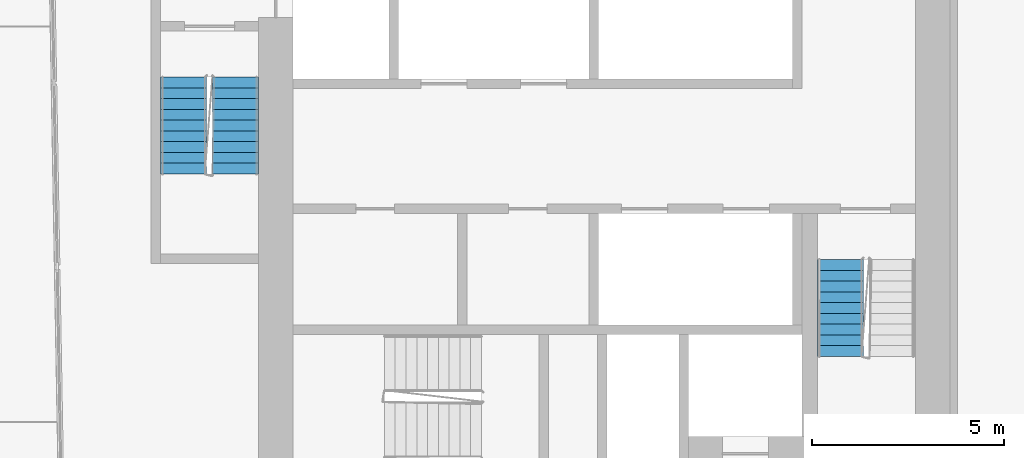
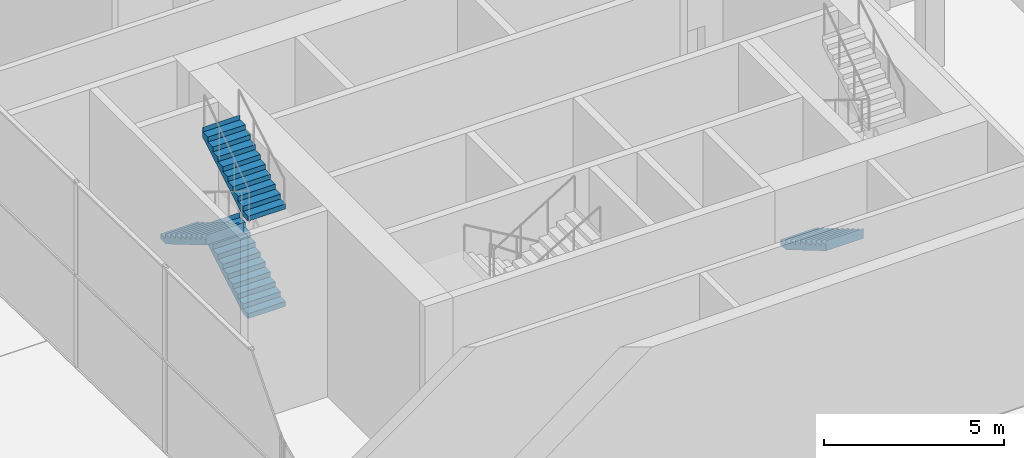
# One storey, part 17 of 24: 4 stair flights, 2 elements without a shape of their own.
"""IFC4 building model written with IfcOpenShell, lengths in metres."""

from ifc_helpers import new_model, si_unit, direction, frame, origin, place, context, subcontext, project, spatial, faceted_brep, material, type_object, element, aggregate, save


model = new_model("IFC4")

# Units and contexts
model_context = context("Model", 3, precision=1e-05, world=origin(), true_north=direction((0.0, 1.0)))
body_context = subcontext(model_context, "Body", "Model", "MODEL_VIEW")
ifc_project = project(units=[si_unit("LENGTHUNIT", "METRE"), si_unit("AREAUNIT", "SQUARE_METRE"), si_unit("VOLUMEUNIT", "CUBIC_METRE"), si_unit("PLANEANGLEUNIT", "RADIAN"), si_unit("MASSUNIT", "GRAM", prefix="KILO")], contexts=[model_context])

# Site, building, storey
site_placement = place(None, origin())
site = spatial("IfcSite", under=ifc_project, at=site_placement, CompositionType="ELEMENT")
building_placement = place(site_placement, origin())
building = spatial("IfcBuilding", under=site, at=building_placement, Name="Kajstack Hotel Tower", CompositionType="ELEMENT")
storey_placement = place(building_placement, frame((0.0, 0.0, 211.10009765625)))
storey = spatial("IfcBuildingStorey", under=building, at=storey_placement, Name="L51", CompositionType="ELEMENT", Elevation=211.10009765625)

# Stair, stair flights
ifc_material = material(Name="Concrete C40/50", Category="concrete")
stair_type = type_object("IfcStairType", Name="Exit stair 1200", PredefinedType="HALF_TURN_STAIR", material=ifc_material)
stair_1_placement = place(storey_placement, origin())
stair_1 = element("IfcStair", 1, at=stair_1_placement, inside=storey, type_object=stair_type, Name="L51 stair W1", PredefinedType="HALF_TURN_STAIR")
stair_flight_type = type_object("IfcStairFlightType", Name="Exit stair flight 1200", PredefinedType="STRAIGHT", material=ifc_material)
stair_flight_1_placement = place(storey_placement, frame((-32.10009765625, -7.77001953125, 1.64990234375), z_axis=(0.0, 0.0, 1.0), x_axis=(0.0, 1.0, 0.0)))
stair_flight_1 = element("IfcStairFlight", 2, at=stair_flight_1_placement, type_object=stair_flight_type, Name="W1 flight 2", NumberOfRisers=10, NumberOfTreads=9, PredefinedType="STRAIGHT", RiserHeight=0.165, TreadLength=0.28, context=body_context, shape_type="Brep", body=[
    faceted_brep([(0.295654296875, -0.60009765625, 0.0), (2.5205078125, -0.60009765625, 1.31103515625), (2.5205078125, -0.60009765625, 1.64990234375), (2.52001953125, -0.60009765625, 1.64990234375), (2.52001953125, -0.60009765625, 1.485107421875), (2.239990234375, -0.60009765625, 1.485107421875), (2.239990234375, -0.60009765625, 1.320068359375), (1.9599609375, -0.60009765625, 1.320068359375), (1.9599609375, -0.60009765625, 1.155029296875), (1.679931640625, -0.60009765625, 1.155029296875), (1.679931640625, -0.60009765625, 0.989990234375), (1.39990234375, -0.60009765625, 0.989990234375), (1.39990234375, -0.60009765625, 0.824951171875), (1.1201171875, -0.60009765625, 0.824951171875), (1.1201171875, -0.60009765625, 0.659912109375), (0.840087890625, -0.60009765625, 0.659912109375), (0.840087890625, -0.60009765625, 0.4951171875), (0.56005859375, -0.60009765625, 0.4951171875), (0.56005859375, -0.60009765625, 0.330078125), (0.280029296875, -0.60009765625, 0.330078125), (0.280029296875, -0.60009765625, 0.1650390625), (-0.00048828125, -0.60009765625, 0.1650390625), (-0.00048828125, -0.60009765625, 0.0), (-0.00048828125, 0.60009765625, 0.0), (-0.00048828125, 0.60009765625, 0.1650390625), (0.280029296875, 0.60009765625, 0.1650390625), (0.280029296875, 0.60009765625, 0.330078125), (0.56005859375, 0.60009765625, 0.330078125), (0.56005859375, 0.60009765625, 0.4951171875), (0.840087890625, 0.60009765625, 0.4951171875), (0.840087890625, 0.60009765625, 0.659912109375), (1.1201171875, 0.60009765625, 0.659912109375), (1.1201171875, 0.60009765625, 0.824951171875), (1.39990234375, 0.60009765625, 0.824951171875), (1.39990234375, 0.60009765625, 0.989990234375), (1.679931640625, 0.60009765625, 0.989990234375), (1.679931640625, 0.60009765625, 1.155029296875), (1.9599609375, 0.60009765625, 1.155029296875), (1.9599609375, 0.60009765625, 1.320068359375), (2.239990234375, 0.60009765625, 1.320068359375), (2.239990234375, 0.60009765625, 1.485107421875), (2.52001953125, 0.60009765625, 1.485107421875), (2.52001953125, 0.60009765625, 1.64990234375), (2.5205078125, 0.60009765625, 1.64990234375), (2.5205078125, 0.60009765625, 1.31103515625), (0.295654296875, 0.60009765625, 0.0), (-0.00048828125, -0.300048828125, 0.1650390625), (-0.00048828125, 0.0, 0.1650390625), (-0.00048828125, 0.300048828125, 0.1650390625), (-0.00048828125, 0.300048828125, 0.0), (-0.00048828125, 0.0, 0.0), (-0.00048828125, -0.300048828125, 0.0), (0.280029296875, -0.300048828125, 0.1650390625), (0.280029296875, 0.0, 0.1650390625), (0.280029296875, 0.300048828125, 0.1650390625), (0.280029296875, -0.300048828125, 0.330078125), (0.280029296875, 0.0, 0.330078125), (0.280029296875, 0.300048828125, 0.330078125), (0.56005859375, -0.300048828125, 0.330078125), (0.56005859375, 0.0, 0.330078125), (0.56005859375, 0.300048828125, 0.330078125), (0.56005859375, -0.300048828125, 0.4951171875), (0.56005859375, 0.0, 0.4951171875), (0.56005859375, 0.300048828125, 0.4951171875), (0.840087890625, -0.300048828125, 0.4951171875), (0.840087890625, 0.0, 0.4951171875), (0.840087890625, 0.300048828125, 0.4951171875), (0.840087890625, -0.300048828125, 0.659912109375), (0.840087890625, 0.0, 0.659912109375), (0.840087890625, 0.300048828125, 0.659912109375), (1.1201171875, -0.300048828125, 0.659912109375), (1.1201171875, 0.0, 0.659912109375), (1.1201171875, 0.300048828125, 0.659912109375), (1.1201171875, -0.300048828125, 0.824951171875), (1.1201171875, 0.0, 0.824951171875), (1.1201171875, 0.300048828125, 0.824951171875), (1.39990234375, -0.300048828125, 0.824951171875), (1.39990234375, 0.0, 0.824951171875), (1.39990234375, 0.300048828125, 0.824951171875), (1.39990234375, -0.300048828125, 0.989990234375), (1.39990234375, 0.0, 0.989990234375), (1.39990234375, 0.300048828125, 0.989990234375), (1.679931640625, -0.300048828125, 0.989990234375), (1.679931640625, 0.0, 0.989990234375), (1.679931640625, 0.300048828125, 0.989990234375), (1.679931640625, -0.300048828125, 1.155029296875), (1.679931640625, 0.0, 1.155029296875), (1.679931640625, 0.300048828125, 1.155029296875), (1.9599609375, -0.300048828125, 1.155029296875), (1.9599609375, 0.0, 1.155029296875), (1.9599609375, 0.300048828125, 1.155029296875), (1.9599609375, -0.300048828125, 1.320068359375), (1.9599609375, 0.0, 1.320068359375), (1.9599609375, 0.300048828125, 1.320068359375), (2.239990234375, -0.300048828125, 1.320068359375), (2.239990234375, 0.0, 1.320068359375), (2.239990234375, 0.300048828125, 1.320068359375), (2.239990234375, -0.300048828125, 1.485107421875), (2.239990234375, 0.0, 1.485107421875), (2.239990234375, 0.300048828125, 1.485107421875), (2.52001953125, -0.300048828125, 1.485107421875), (2.52001953125, 0.0, 1.485107421875), (2.52001953125, 0.300048828125, 1.485107421875), (2.52001953125, -0.300048828125, 1.64990234375), (2.52001953125, 0.0, 1.64990234375), (2.52001953125, 0.300048828125, 1.64990234375), (2.5205078125, -0.300048828125, 1.64990234375), (2.5205078125, 0.0, 1.64990234375), (2.5205078125, 0.300048828125, 1.64990234375), (2.5205078125, -0.300048828125, 1.31103515625), (2.5205078125, 0.0, 1.31103515625), (2.5205078125, 0.300048828125, 1.31103515625), (0.295654296875, -0.300048828125, 0.0), (0.295654296875, 0.0, 0.0), (0.295654296875, 0.300048828125, 0.0)], [[[0, 1, 2, 3, 4, 5, 6, 7, 8, 9, 10, 11, 12, 13, 14, 15, 16, 17, 18, 19, 20, 21, 22]], [[23, 24, 25, 26, 27, 28, 29, 30, 31, 32, 33, 34, 35, 36, 37, 38, 39, 40, 41, 42, 43, 44, 45]], [[21, 46, 47, 48, 24, 23, 49, 50, 51, 22]], [[20, 52, 53, 54, 25, 24, 48, 47, 46, 21]], [[19, 55, 56, 57, 26, 25, 54, 53, 52, 20]], [[18, 58, 59, 60, 27, 26, 57, 56, 55, 19]], [[17, 61, 62, 63, 28, 27, 60, 59, 58, 18]], [[16, 64, 65, 66, 29, 28, 63, 62, 61, 17]], [[15, 67, 68, 69, 30, 29, 66, 65, 64, 16]], [[14, 70, 71, 72, 31, 30, 69, 68, 67, 15]], [[13, 73, 74, 75, 32, 31, 72, 71, 70, 14]], [[12, 76, 77, 78, 33, 32, 75, 74, 73, 13]], [[11, 79, 80, 81, 34, 33, 78, 77, 76, 12]], [[10, 82, 83, 84, 35, 34, 81, 80, 79, 11]], [[9, 85, 86, 87, 36, 35, 84, 83, 82, 10]], [[8, 88, 89, 90, 37, 36, 87, 86, 85, 9]], [[7, 91, 92, 93, 38, 37, 90, 89, 88, 8]], [[6, 94, 95, 96, 39, 38, 93, 92, 91, 7]], [[5, 97, 98, 99, 40, 39, 96, 95, 94, 6]], [[4, 100, 101, 102, 41, 40, 99, 98, 97, 5]], [[3, 103, 104, 105, 42, 41, 102, 101, 100, 4]], [[2, 106, 107, 108, 43, 42, 105, 104, 103, 3]], [[1, 109, 110, 111, 44, 43, 108, 107, 106, 2]], [[0, 112, 113, 114, 45, 44, 111, 110, 109, 1]], [[22, 51, 50, 49, 23, 45, 114, 113, 112, 0]]]),
])
stair_flight_2_placement = place(storey_placement, frame((-33.449951171875, -5.25, 3.2998046875), z_axis=(0.0, 0.0, 1.0), x_axis=(0.0, -1.0, 0.0)))
stair_flight_2 = element("IfcStairFlight", 3, at=stair_flight_2_placement, type_object=stair_flight_type, Name="W1 flight 3", NumberOfRisers=10, NumberOfTreads=9, PredefinedType="STRAIGHT", RiserHeight=0.165, TreadLength=0.28, context=body_context, shape_type="Brep", body=[
    faceted_brep([(0.295654296875, -0.60009765625, 0.0), (2.5205078125, -0.60009765625, 1.31103515625), (2.5205078125, -0.60009765625, 1.64990234375), (2.52001953125, -0.60009765625, 1.64990234375), (2.52001953125, -0.60009765625, 1.485107421875), (2.239990234375, -0.60009765625, 1.485107421875), (2.239990234375, -0.60009765625, 1.320068359375), (1.9599609375, -0.60009765625, 1.320068359375), (1.9599609375, -0.60009765625, 1.155029296875), (1.679931640625, -0.60009765625, 1.155029296875), (1.679931640625, -0.60009765625, 0.989990234375), (1.39990234375, -0.60009765625, 0.989990234375), (1.39990234375, -0.60009765625, 0.824951171875), (1.1201171875, -0.60009765625, 0.824951171875), (1.1201171875, -0.60009765625, 0.659912109375), (0.840087890625, -0.60009765625, 0.659912109375), (0.840087890625, -0.60009765625, 0.4951171875), (0.56005859375, -0.60009765625, 0.4951171875), (0.56005859375, -0.60009765625, 0.330078125), (0.280029296875, -0.60009765625, 0.330078125), (0.280029296875, -0.60009765625, 0.1650390625), (-0.00048828125, -0.60009765625, 0.1650390625), (-0.00048828125, -0.60009765625, 0.0), (-0.00048828125, 0.60009765625, 0.0), (-0.00048828125, 0.60009765625, 0.1650390625), (0.280029296875, 0.60009765625, 0.1650390625), (0.280029296875, 0.60009765625, 0.330078125), (0.56005859375, 0.60009765625, 0.330078125), (0.56005859375, 0.60009765625, 0.4951171875), (0.840087890625, 0.60009765625, 0.4951171875), (0.840087890625, 0.60009765625, 0.659912109375), (1.1201171875, 0.60009765625, 0.659912109375), (1.1201171875, 0.60009765625, 0.824951171875), (1.39990234375, 0.60009765625, 0.824951171875), (1.39990234375, 0.60009765625, 0.989990234375), (1.679931640625, 0.60009765625, 0.989990234375), (1.679931640625, 0.60009765625, 1.155029296875), (1.9599609375, 0.60009765625, 1.155029296875), (1.9599609375, 0.60009765625, 1.320068359375), (2.239990234375, 0.60009765625, 1.320068359375), (2.239990234375, 0.60009765625, 1.485107421875), (2.52001953125, 0.60009765625, 1.485107421875), (2.52001953125, 0.60009765625, 1.64990234375), (2.5205078125, 0.60009765625, 1.64990234375), (2.5205078125, 0.60009765625, 1.31103515625), (0.295654296875, 0.60009765625, 0.0), (-0.00048828125, -0.300048828125, 0.1650390625), (-0.00048828125, 0.0, 0.1650390625), (-0.00048828125, 0.300048828125, 0.1650390625), (-0.00048828125, 0.300048828125, 0.0), (-0.00048828125, 0.0, 0.0), (-0.00048828125, -0.300048828125, 0.0), (0.280029296875, -0.300048828125, 0.1650390625), (0.280029296875, 0.0, 0.1650390625), (0.280029296875, 0.300048828125, 0.1650390625), (0.280029296875, -0.300048828125, 0.330078125), (0.280029296875, 0.0, 0.330078125), (0.280029296875, 0.300048828125, 0.330078125), (0.56005859375, -0.300048828125, 0.330078125), (0.56005859375, 0.0, 0.330078125), (0.56005859375, 0.300048828125, 0.330078125), (0.56005859375, -0.300048828125, 0.4951171875), (0.56005859375, 0.0, 0.4951171875), (0.56005859375, 0.300048828125, 0.4951171875), (0.840087890625, -0.300048828125, 0.4951171875), (0.840087890625, 0.0, 0.4951171875), (0.840087890625, 0.300048828125, 0.4951171875), (0.840087890625, -0.300048828125, 0.659912109375), (0.840087890625, 0.0, 0.659912109375), (0.840087890625, 0.300048828125, 0.659912109375), (1.1201171875, -0.300048828125, 0.659912109375), (1.1201171875, 0.0, 0.659912109375), (1.1201171875, 0.300048828125, 0.659912109375), (1.1201171875, -0.300048828125, 0.824951171875), (1.1201171875, 0.0, 0.824951171875), (1.1201171875, 0.300048828125, 0.824951171875), (1.39990234375, -0.300048828125, 0.824951171875), (1.39990234375, 0.0, 0.824951171875), (1.39990234375, 0.300048828125, 0.824951171875), (1.39990234375, -0.300048828125, 0.989990234375), (1.39990234375, 0.0, 0.989990234375), (1.39990234375, 0.300048828125, 0.989990234375), (1.679931640625, -0.300048828125, 0.989990234375), (1.679931640625, 0.0, 0.989990234375), (1.679931640625, 0.300048828125, 0.989990234375), (1.679931640625, -0.300048828125, 1.155029296875), (1.679931640625, 0.0, 1.155029296875), (1.679931640625, 0.300048828125, 1.155029296875), (1.9599609375, -0.300048828125, 1.155029296875), (1.9599609375, 0.0, 1.155029296875), (1.9599609375, 0.300048828125, 1.155029296875), (1.9599609375, -0.300048828125, 1.320068359375), (1.9599609375, 0.0, 1.320068359375), (1.9599609375, 0.300048828125, 1.320068359375), (2.239990234375, -0.300048828125, 1.320068359375), (2.239990234375, 0.0, 1.320068359375), (2.239990234375, 0.300048828125, 1.320068359375), (2.239990234375, -0.300048828125, 1.485107421875), (2.239990234375, 0.0, 1.485107421875), (2.239990234375, 0.300048828125, 1.485107421875), (2.52001953125, -0.300048828125, 1.485107421875), (2.52001953125, 0.0, 1.485107421875), (2.52001953125, 0.300048828125, 1.485107421875), (2.52001953125, -0.300048828125, 1.64990234375), (2.52001953125, 0.0, 1.64990234375), (2.52001953125, 0.300048828125, 1.64990234375), (2.5205078125, -0.300048828125, 1.64990234375), (2.5205078125, 0.0, 1.64990234375), (2.5205078125, 0.300048828125, 1.64990234375), (2.5205078125, -0.300048828125, 1.31103515625), (2.5205078125, 0.0, 1.31103515625), (2.5205078125, 0.300048828125, 1.31103515625), (0.295654296875, -0.300048828125, 0.0), (0.295654296875, 0.0, 0.0), (0.295654296875, 0.300048828125, 0.0)], [[[0, 1, 2, 3, 4, 5, 6, 7, 8, 9, 10, 11, 12, 13, 14, 15, 16, 17, 18, 19, 20, 21, 22]], [[23, 24, 25, 26, 27, 28, 29, 30, 31, 32, 33, 34, 35, 36, 37, 38, 39, 40, 41, 42, 43, 44, 45]], [[21, 46, 47, 48, 24, 23, 49, 50, 51, 22]], [[20, 52, 53, 54, 25, 24, 48, 47, 46, 21]], [[19, 55, 56, 57, 26, 25, 54, 53, 52, 20]], [[18, 58, 59, 60, 27, 26, 57, 56, 55, 19]], [[17, 61, 62, 63, 28, 27, 60, 59, 58, 18]], [[16, 64, 65, 66, 29, 28, 63, 62, 61, 17]], [[15, 67, 68, 69, 30, 29, 66, 65, 64, 16]], [[14, 70, 71, 72, 31, 30, 69, 68, 67, 15]], [[13, 73, 74, 75, 32, 31, 72, 71, 70, 14]], [[12, 76, 77, 78, 33, 32, 75, 74, 73, 13]], [[11, 79, 80, 81, 34, 33, 78, 77, 76, 12]], [[10, 82, 83, 84, 35, 34, 81, 80, 79, 11]], [[9, 85, 86, 87, 36, 35, 84, 83, 82, 10]], [[8, 88, 89, 90, 37, 36, 87, 86, 85, 9]], [[7, 91, 92, 93, 38, 37, 90, 89, 88, 8]], [[6, 94, 95, 96, 39, 38, 93, 92, 91, 7]], [[5, 97, 98, 99, 40, 39, 96, 95, 94, 6]], [[4, 100, 101, 102, 41, 40, 99, 98, 97, 5]], [[3, 103, 104, 105, 42, 41, 102, 101, 100, 4]], [[2, 106, 107, 108, 43, 42, 105, 104, 103, 3]], [[1, 109, 110, 111, 44, 43, 108, 107, 106, 2]], [[0, 112, 113, 114, 45, 44, 111, 110, 109, 1]], [[22, 51, 50, 49, 23, 45, 114, 113, 112, 0]]]),
])
stair_flight_3_placement = place(storey_placement, frame((-32.10009765625, -7.77001953125, 4.949951171875), z_axis=(0.0, 0.0, 1.0), x_axis=(0.0, 1.0, 0.0)))
stair_flight_3 = element("IfcStairFlight", 4, at=stair_flight_3_placement, type_object=stair_flight_type, Name="W1 flight 4", NumberOfRisers=10, NumberOfTreads=9, PredefinedType="STRAIGHT", RiserHeight=0.165, TreadLength=0.28, context=body_context, shape_type="Brep", body=[
    faceted_brep([(0.295654296875, -0.60009765625, 0.0), (2.5205078125, -0.60009765625, 1.31103515625), (2.5205078125, -0.60009765625, 1.64990234375), (2.52001953125, -0.60009765625, 1.64990234375), (2.52001953125, -0.60009765625, 1.485107421875), (2.239990234375, -0.60009765625, 1.485107421875), (2.239990234375, -0.60009765625, 1.320068359375), (1.9599609375, -0.60009765625, 1.320068359375), (1.9599609375, -0.60009765625, 1.155029296875), (1.679931640625, -0.60009765625, 1.155029296875), (1.679931640625, -0.60009765625, 0.989990234375), (1.39990234375, -0.60009765625, 0.989990234375), (1.39990234375, -0.60009765625, 0.824951171875), (1.1201171875, -0.60009765625, 0.824951171875), (1.1201171875, -0.60009765625, 0.659912109375), (0.840087890625, -0.60009765625, 0.659912109375), (0.840087890625, -0.60009765625, 0.4951171875), (0.56005859375, -0.60009765625, 0.4951171875), (0.56005859375, -0.60009765625, 0.330078125), (0.280029296875, -0.60009765625, 0.330078125), (0.280029296875, -0.60009765625, 0.1650390625), (-0.00048828125, -0.60009765625, 0.1650390625), (-0.00048828125, -0.60009765625, 0.0), (-0.00048828125, 0.60009765625, 0.0), (-0.00048828125, 0.60009765625, 0.1650390625), (0.280029296875, 0.60009765625, 0.1650390625), (0.280029296875, 0.60009765625, 0.330078125), (0.56005859375, 0.60009765625, 0.330078125), (0.56005859375, 0.60009765625, 0.4951171875), (0.840087890625, 0.60009765625, 0.4951171875), (0.840087890625, 0.60009765625, 0.659912109375), (1.1201171875, 0.60009765625, 0.659912109375), (1.1201171875, 0.60009765625, 0.824951171875), (1.39990234375, 0.60009765625, 0.824951171875), (1.39990234375, 0.60009765625, 0.989990234375), (1.679931640625, 0.60009765625, 0.989990234375), (1.679931640625, 0.60009765625, 1.155029296875), (1.9599609375, 0.60009765625, 1.155029296875), (1.9599609375, 0.60009765625, 1.320068359375), (2.239990234375, 0.60009765625, 1.320068359375), (2.239990234375, 0.60009765625, 1.485107421875), (2.52001953125, 0.60009765625, 1.485107421875), (2.52001953125, 0.60009765625, 1.64990234375), (2.5205078125, 0.60009765625, 1.64990234375), (2.5205078125, 0.60009765625, 1.31103515625), (0.295654296875, 0.60009765625, 0.0), (-0.00048828125, -0.300048828125, 0.1650390625), (-0.00048828125, 0.0, 0.1650390625), (-0.00048828125, 0.300048828125, 0.1650390625), (-0.00048828125, 0.300048828125, 0.0), (-0.00048828125, 0.0, 0.0), (-0.00048828125, -0.300048828125, 0.0), (0.280029296875, -0.300048828125, 0.1650390625), (0.280029296875, 0.0, 0.1650390625), (0.280029296875, 0.300048828125, 0.1650390625), (0.280029296875, -0.300048828125, 0.330078125), (0.280029296875, 0.0, 0.330078125), (0.280029296875, 0.300048828125, 0.330078125), (0.56005859375, -0.300048828125, 0.330078125), (0.56005859375, 0.0, 0.330078125), (0.56005859375, 0.300048828125, 0.330078125), (0.56005859375, -0.300048828125, 0.4951171875), (0.56005859375, 0.0, 0.4951171875), (0.56005859375, 0.300048828125, 0.4951171875), (0.840087890625, -0.300048828125, 0.4951171875), (0.840087890625, 0.0, 0.4951171875), (0.840087890625, 0.300048828125, 0.4951171875), (0.840087890625, -0.300048828125, 0.659912109375), (0.840087890625, 0.0, 0.659912109375), (0.840087890625, 0.300048828125, 0.659912109375), (1.1201171875, -0.300048828125, 0.659912109375), (1.1201171875, 0.0, 0.659912109375), (1.1201171875, 0.300048828125, 0.659912109375), (1.1201171875, -0.300048828125, 0.824951171875), (1.1201171875, 0.0, 0.824951171875), (1.1201171875, 0.300048828125, 0.824951171875), (1.39990234375, -0.300048828125, 0.824951171875), (1.39990234375, 0.0, 0.824951171875), (1.39990234375, 0.300048828125, 0.824951171875), (1.39990234375, -0.300048828125, 0.989990234375), (1.39990234375, 0.0, 0.989990234375), (1.39990234375, 0.300048828125, 0.989990234375), (1.679931640625, -0.300048828125, 0.989990234375), (1.679931640625, 0.0, 0.989990234375), (1.679931640625, 0.300048828125, 0.989990234375), (1.679931640625, -0.300048828125, 1.155029296875), (1.679931640625, 0.0, 1.155029296875), (1.679931640625, 0.300048828125, 1.155029296875), (1.9599609375, -0.300048828125, 1.155029296875), (1.9599609375, 0.0, 1.155029296875), (1.9599609375, 0.300048828125, 1.155029296875), (1.9599609375, -0.300048828125, 1.320068359375), (1.9599609375, 0.0, 1.320068359375), (1.9599609375, 0.300048828125, 1.320068359375), (2.239990234375, -0.300048828125, 1.320068359375), (2.239990234375, 0.0, 1.320068359375), (2.239990234375, 0.300048828125, 1.320068359375), (2.239990234375, -0.300048828125, 1.485107421875), (2.239990234375, 0.0, 1.485107421875), (2.239990234375, 0.300048828125, 1.485107421875), (2.52001953125, -0.300048828125, 1.485107421875), (2.52001953125, 0.0, 1.485107421875), (2.52001953125, 0.300048828125, 1.485107421875), (2.52001953125, -0.300048828125, 1.64990234375), (2.52001953125, 0.0, 1.64990234375), (2.52001953125, 0.300048828125, 1.64990234375), (2.5205078125, -0.300048828125, 1.64990234375), (2.5205078125, 0.0, 1.64990234375), (2.5205078125, 0.300048828125, 1.64990234375), (2.5205078125, -0.300048828125, 1.31103515625), (2.5205078125, 0.0, 1.31103515625), (2.5205078125, 0.300048828125, 1.31103515625), (0.295654296875, -0.300048828125, 0.0), (0.295654296875, 0.0, 0.0), (0.295654296875, 0.300048828125, 0.0)], [[[0, 1, 2, 3, 4, 5, 6, 7, 8, 9, 10, 11, 12, 13, 14, 15, 16, 17, 18, 19, 20, 21, 22]], [[23, 24, 25, 26, 27, 28, 29, 30, 31, 32, 33, 34, 35, 36, 37, 38, 39, 40, 41, 42, 43, 44, 45]], [[21, 46, 47, 48, 24, 23, 49, 50, 51, 22]], [[20, 52, 53, 54, 25, 24, 48, 47, 46, 21]], [[19, 55, 56, 57, 26, 25, 54, 53, 52, 20]], [[18, 58, 59, 60, 27, 26, 57, 56, 55, 19]], [[17, 61, 62, 63, 28, 27, 60, 59, 58, 18]], [[16, 64, 65, 66, 29, 28, 63, 62, 61, 17]], [[15, 67, 68, 69, 30, 29, 66, 65, 64, 16]], [[14, 70, 71, 72, 31, 30, 69, 68, 67, 15]], [[13, 73, 74, 75, 32, 31, 72, 71, 70, 14]], [[12, 76, 77, 78, 33, 32, 75, 74, 73, 13]], [[11, 79, 80, 81, 34, 33, 78, 77, 76, 12]], [[10, 82, 83, 84, 35, 34, 81, 80, 79, 11]], [[9, 85, 86, 87, 36, 35, 84, 83, 82, 10]], [[8, 88, 89, 90, 37, 36, 87, 86, 85, 9]], [[7, 91, 92, 93, 38, 37, 90, 89, 88, 8]], [[6, 94, 95, 96, 39, 38, 93, 92, 91, 7]], [[5, 97, 98, 99, 40, 39, 96, 95, 94, 6]], [[4, 100, 101, 102, 41, 40, 99, 98, 97, 5]], [[3, 103, 104, 105, 42, 41, 102, 101, 100, 4]], [[2, 106, 107, 108, 43, 42, 105, 104, 103, 3]], [[1, 109, 110, 111, 44, 43, 108, 107, 106, 2]], [[0, 112, 113, 114, 45, 44, 111, 110, 109, 1]], [[22, 51, 50, 49, 23, 45, 114, 113, 112, 0]]]),
])
aggregate(stair_1, [stair_flight_1, stair_flight_2, stair_flight_3])

# Stair, stair flight
stair_2_placement = place(storey_placement, origin())
stair_2 = element("IfcStair", 5, at=stair_2_placement, inside=storey, type_object=stair_type, Name="L51 stair W2", PredefinedType="HALF_TURN_STAIR")
stair_flight_4_placement = place(storey_placement, frame((-16.35009765625, -10.0, 0.0), z_axis=(0.0, 0.0, 1.0), x_axis=(0.0, -1.0, 0.0)))
stair_flight_4 = element("IfcStairFlight", 6, at=stair_flight_4_placement, type_object=stair_flight_type, Name="W2 flight 1", NumberOfRisers=10, NumberOfTreads=9, PredefinedType="STRAIGHT", RiserHeight=0.165, TreadLength=0.28, context=body_context, shape_type="Brep", body=[
    faceted_brep([(0.295654296875, -0.60009765625, 0.0), (2.5205078125, -0.60009765625, 1.31103515625), (2.5205078125, -0.60009765625, 1.64990234375), (2.52001953125, -0.60009765625, 1.64990234375), (2.52001953125, -0.60009765625, 1.485107421875), (2.239990234375, -0.60009765625, 1.485107421875), (2.239990234375, -0.60009765625, 1.320068359375), (1.9599609375, -0.60009765625, 1.320068359375), (1.9599609375, -0.60009765625, 1.155029296875), (1.679931640625, -0.60009765625, 1.155029296875), (1.679931640625, -0.60009765625, 0.989990234375), (1.39990234375, -0.60009765625, 0.989990234375), (1.39990234375, -0.60009765625, 0.824951171875), (1.1201171875, -0.60009765625, 0.824951171875), (1.1201171875, -0.60009765625, 0.659912109375), (0.840087890625, -0.60009765625, 0.659912109375), (0.840087890625, -0.60009765625, 0.4951171875), (0.56005859375, -0.60009765625, 0.4951171875), (0.56005859375, -0.60009765625, 0.330078125), (0.280029296875, -0.60009765625, 0.330078125), (0.280029296875, -0.60009765625, 0.1650390625), (-0.00048828125, -0.60009765625, 0.1650390625), (-0.00048828125, -0.60009765625, 0.0), (-0.00048828125, 0.60009765625, 0.0), (-0.00048828125, 0.60009765625, 0.1650390625), (0.280029296875, 0.60009765625, 0.1650390625), (0.280029296875, 0.60009765625, 0.330078125), (0.56005859375, 0.60009765625, 0.330078125), (0.56005859375, 0.60009765625, 0.4951171875), (0.840087890625, 0.60009765625, 0.4951171875), (0.840087890625, 0.60009765625, 0.659912109375), (1.1201171875, 0.60009765625, 0.659912109375), (1.1201171875, 0.60009765625, 0.824951171875), (1.39990234375, 0.60009765625, 0.824951171875), (1.39990234375, 0.60009765625, 0.989990234375), (1.679931640625, 0.60009765625, 0.989990234375), (1.679931640625, 0.60009765625, 1.155029296875), (1.9599609375, 0.60009765625, 1.155029296875), (1.9599609375, 0.60009765625, 1.320068359375), (2.239990234375, 0.60009765625, 1.320068359375), (2.239990234375, 0.60009765625, 1.485107421875), (2.52001953125, 0.60009765625, 1.485107421875), (2.52001953125, 0.60009765625, 1.64990234375), (2.5205078125, 0.60009765625, 1.64990234375), (2.5205078125, 0.60009765625, 1.31103515625), (0.295654296875, 0.60009765625, 0.0), (-0.00048828125, -0.300048828125, 0.1650390625), (-0.00048828125, 0.0, 0.1650390625), (-0.00048828125, 0.300048828125, 0.1650390625), (-0.00048828125, 0.300048828125, 0.0), (-0.00048828125, 0.0, 0.0), (-0.00048828125, -0.300048828125, 0.0), (0.280029296875, -0.300048828125, 0.1650390625), (0.280029296875, 0.0, 0.1650390625), (0.280029296875, 0.300048828125, 0.1650390625), (0.280029296875, -0.300048828125, 0.330078125), (0.280029296875, 0.0, 0.330078125), (0.280029296875, 0.300048828125, 0.330078125), (0.56005859375, -0.300048828125, 0.330078125), (0.56005859375, 0.0, 0.330078125), (0.56005859375, 0.300048828125, 0.330078125), (0.56005859375, -0.300048828125, 0.4951171875), (0.56005859375, 0.0, 0.4951171875), (0.56005859375, 0.300048828125, 0.4951171875), (0.840087890625, -0.300048828125, 0.4951171875), (0.840087890625, 0.0, 0.4951171875), (0.840087890625, 0.300048828125, 0.4951171875), (0.840087890625, -0.300048828125, 0.659912109375), (0.840087890625, 0.0, 0.659912109375), (0.840087890625, 0.300048828125, 0.659912109375), (1.1201171875, -0.300048828125, 0.659912109375), (1.1201171875, 0.0, 0.659912109375), (1.1201171875, 0.300048828125, 0.659912109375), (1.1201171875, -0.300048828125, 0.824951171875), (1.1201171875, 0.0, 0.824951171875), (1.1201171875, 0.300048828125, 0.824951171875), (1.39990234375, -0.300048828125, 0.824951171875), (1.39990234375, 0.0, 0.824951171875), (1.39990234375, 0.300048828125, 0.824951171875), (1.39990234375, -0.300048828125, 0.989990234375), (1.39990234375, 0.0, 0.989990234375), (1.39990234375, 0.300048828125, 0.989990234375), (1.679931640625, -0.300048828125, 0.989990234375), (1.679931640625, 0.0, 0.989990234375), (1.679931640625, 0.300048828125, 0.989990234375), (1.679931640625, -0.300048828125, 1.155029296875), (1.679931640625, 0.0, 1.155029296875), (1.679931640625, 0.300048828125, 1.155029296875), (1.9599609375, -0.300048828125, 1.155029296875), (1.9599609375, 0.0, 1.155029296875), (1.9599609375, 0.300048828125, 1.155029296875), (1.9599609375, -0.300048828125, 1.320068359375), (1.9599609375, 0.0, 1.320068359375), (1.9599609375, 0.300048828125, 1.320068359375), (2.239990234375, -0.300048828125, 1.320068359375), (2.239990234375, 0.0, 1.320068359375), (2.239990234375, 0.300048828125, 1.320068359375), (2.239990234375, -0.300048828125, 1.485107421875), (2.239990234375, 0.0, 1.485107421875), (2.239990234375, 0.300048828125, 1.485107421875), (2.52001953125, -0.300048828125, 1.485107421875), (2.52001953125, 0.0, 1.485107421875), (2.52001953125, 0.300048828125, 1.485107421875), (2.52001953125, -0.300048828125, 1.64990234375), (2.52001953125, 0.0, 1.64990234375), (2.52001953125, 0.300048828125, 1.64990234375), (2.5205078125, -0.300048828125, 1.64990234375), (2.5205078125, 0.0, 1.64990234375), (2.5205078125, 0.300048828125, 1.64990234375), (2.5205078125, -0.300048828125, 1.31103515625), (2.5205078125, 0.0, 1.31103515625), (2.5205078125, 0.300048828125, 1.31103515625), (0.295654296875, -0.300048828125, 0.0), (0.295654296875, 0.0, 0.0), (0.295654296875, 0.300048828125, 0.0)], [[[0, 1, 2, 3, 4, 5, 6, 7, 8, 9, 10, 11, 12, 13, 14, 15, 16, 17, 18, 19, 20, 21, 22]], [[23, 24, 25, 26, 27, 28, 29, 30, 31, 32, 33, 34, 35, 36, 37, 38, 39, 40, 41, 42, 43, 44, 45]], [[21, 46, 47, 48, 24, 23, 49, 50, 51, 22]], [[20, 52, 53, 54, 25, 24, 48, 47, 46, 21]], [[19, 55, 56, 57, 26, 25, 54, 53, 52, 20]], [[18, 58, 59, 60, 27, 26, 57, 56, 55, 19]], [[17, 61, 62, 63, 28, 27, 60, 59, 58, 18]], [[16, 64, 65, 66, 29, 28, 63, 62, 61, 17]], [[15, 67, 68, 69, 30, 29, 66, 65, 64, 16]], [[14, 70, 71, 72, 31, 30, 69, 68, 67, 15]], [[13, 73, 74, 75, 32, 31, 72, 71, 70, 14]], [[12, 76, 77, 78, 33, 32, 75, 74, 73, 13]], [[11, 79, 80, 81, 34, 33, 78, 77, 76, 12]], [[10, 82, 83, 84, 35, 34, 81, 80, 79, 11]], [[9, 85, 86, 87, 36, 35, 84, 83, 82, 10]], [[8, 88, 89, 90, 37, 36, 87, 86, 85, 9]], [[7, 91, 92, 93, 38, 37, 90, 89, 88, 8]], [[6, 94, 95, 96, 39, 38, 93, 92, 91, 7]], [[5, 97, 98, 99, 40, 39, 96, 95, 94, 6]], [[4, 100, 101, 102, 41, 40, 99, 98, 97, 5]], [[3, 103, 104, 105, 42, 41, 102, 101, 100, 4]], [[2, 106, 107, 108, 43, 42, 105, 104, 103, 3]], [[1, 109, 110, 111, 44, 43, 108, 107, 106, 2]], [[0, 112, 113, 114, 45, 44, 111, 110, 109, 1]], [[22, 51, 50, 49, 23, 45, 114, 113, 112, 0]]]),
])
aggregate(stair_2, [stair_flight_4])

save(model, "model.ifc")
